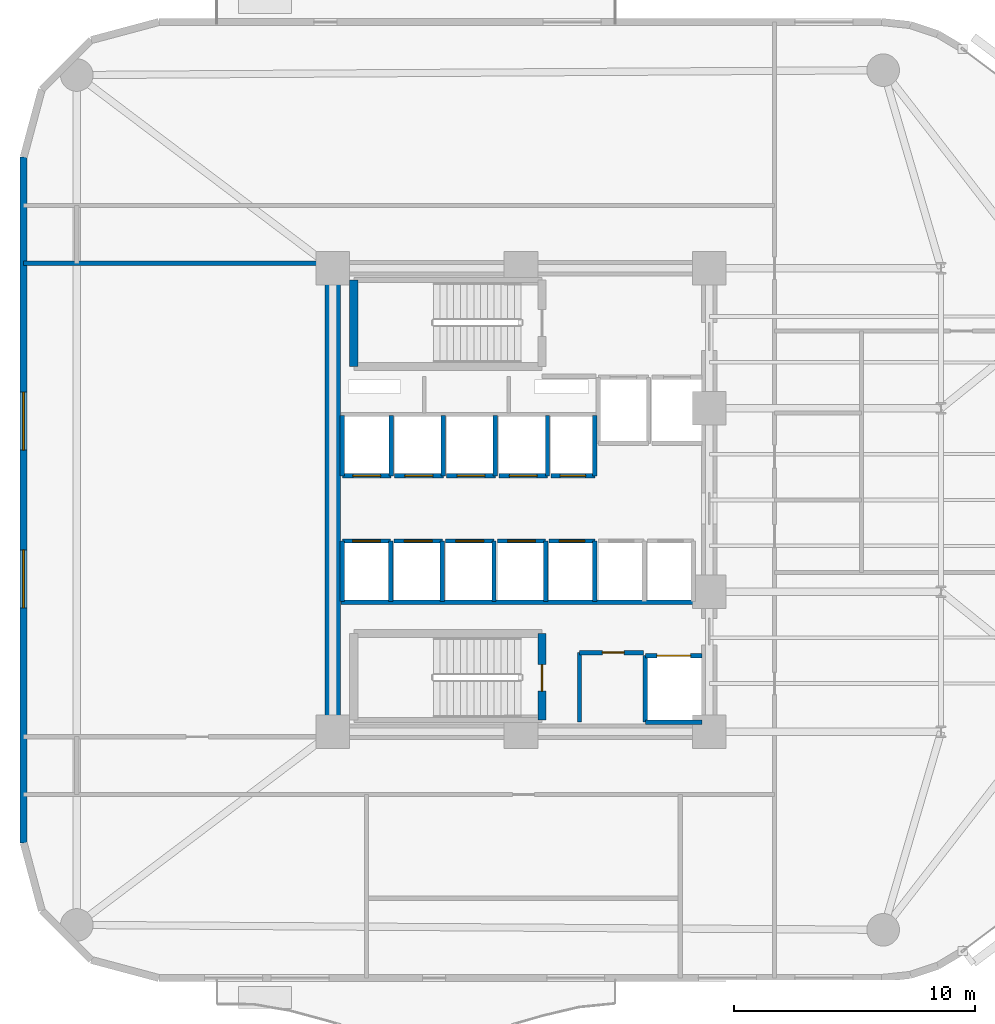
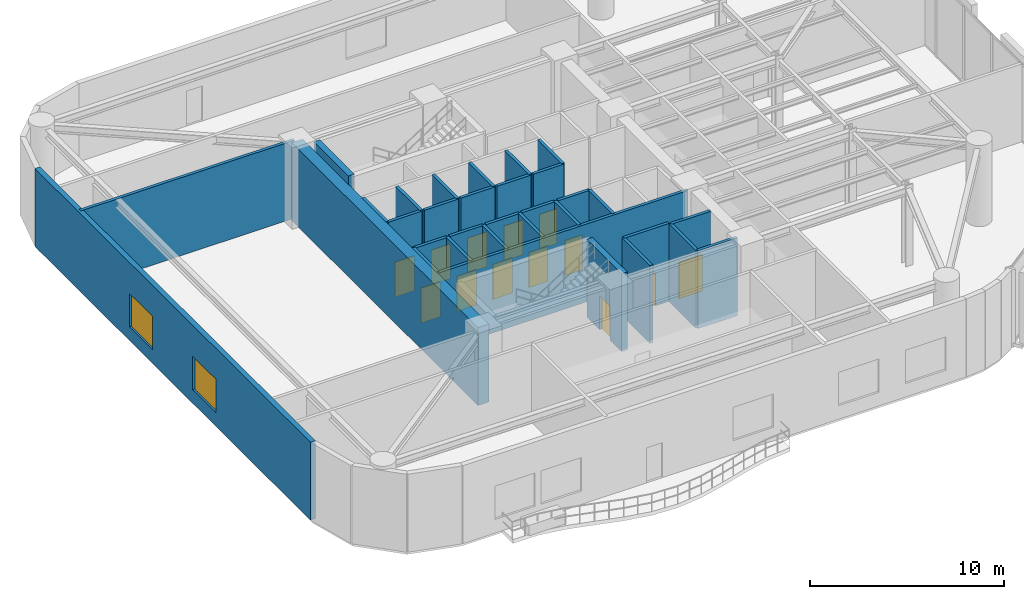
# One storey, part 10 of 14: 33 walls, 13 doors, 2 windows, 15 openings.
"""IFC4 building model written with IfcOpenShell, lengths in metres."""

from ifc_helpers import new_model, si_unit, direction, frame, frame_2d, origin, place, context, subcontext, project, spatial, rectangle, extrude, material, layer, layer_set, type_object, element, fill, save


model = new_model("IFC4")

# Units and contexts
model_context = context("Model", 3, precision=1e-05, world=origin(), true_north=direction((0.0, 1.0)))
body_context = subcontext(model_context, "Body", "Model", "MODEL_VIEW")
ifc_project = project(units=[si_unit("LENGTHUNIT", "METRE"), si_unit("AREAUNIT", "SQUARE_METRE"), si_unit("VOLUMEUNIT", "CUBIC_METRE"), si_unit("PLANEANGLEUNIT", "RADIAN"), si_unit("MASSUNIT", "GRAM", prefix="KILO")], contexts=[model_context])

# Site, building, storey
site_placement = place(None, origin())
site = spatial("IfcSite", under=ifc_project, at=site_placement, CompositionType="ELEMENT")
building_placement = place(site_placement, origin())
building = spatial("IfcBuilding", under=site, at=building_placement, Name="An Khanh Terracotta Commons", CompositionType="ELEMENT")
storey_placement = place(building_placement, frame((0.0, 0.0, 81.199951171875)))
storey = spatial("IfcBuildingStorey", under=building, at=storey_placement, Name="L21", CompositionType="ELEMENT", Elevation=81.199951171875)

# Walls
ifc_material_1 = material(Name="Concrete C60/75", Category="concrete")
ifc_layer_1 = layer(ifc_material_1, 0.64990234375, Name="Concrete C60/75")
ifc_layer_set_1 = layer_set([ifc_layer_1], Name="Concrete C60/75")
wall_type_1 = type_object("IfcWallType", Name="WALL-CORE-650", PredefinedType="SHEAR", material=ifc_layer_set_1)
wall_1_placement = place(storey_placement, frame((21.60009765625, 14.39990234375, 0.0), z_axis=(0.0, 0.0, 1.0), x_axis=(0.0, 1.0, 0.0)))
element("IfcWall", 1, at=wall_1_placement, inside=storey, type_object=wall_type_1, Name="L21 Core Wall CWALL-L21-W", PredefinedType="SHEAR", context=body_context, shape_type="SweptSolid", body=[
    extrude(rectangle(XDim=19.2001953125, YDim=0.64990234375, at=frame_2d((9.60009765625, 0.0))), origin(), (0.0, 0.0, 1.0), 4.900146484375),
])
ifc_material_2 = material(Name="Fire-Rated Gypsum Board on Steel Stud", Category="steel")
ifc_layer_2 = layer(ifc_material_2, 0.179931640625, Name="Fire-Rated Gypsum Board on Steel Stud")
ifc_layer_set_2 = layer_set([ifc_layer_2], Name="Fire-Rated Gypsum Board on Steel Stud")
wall_type_2 = type_object("IfcWallType", Name="WALL-CORR-180", PredefinedType="PARTITIONING", material=ifc_layer_set_2)
wall_2_placement = place(storey_placement, frame((21.949951171875, 19.760009765625, 0.0), z_axis=(0.0, 0.0, 1.0), x_axis=(1.0, 0.0, 0.0)))
element("IfcWall", 2, at=wall_2_placement, inside=storey, type_object=wall_type_2, Name="L21 Core Wall SVW-L21-N", PredefinedType="PARTITIONING", context=body_context, shape_type="SweptSolid", body=[
    extrude(rectangle(XDim=14.8701171875, YDim=0.179931640625, at=frame_2d((7.43505859375, 0.0))), origin(), (0.0, 0.0, 1.0), 4.900146484375),
])

# Wall, opening, door
wall_3_placement = place(storey_placement, frame((31.820068359375, 17.679931640625, 0.0), z_axis=(0.0, 0.0, 1.0), x_axis=(1.0, 0.0, 0.0)))
wall_3 = element("IfcWall", 3, at=wall_3_placement, inside=storey, type_object=wall_type_2, Name="L21 Core Wall SSVCW-L21-N", PredefinedType="PARTITIONING", context=body_context, shape_type="SweptSolid", body=[
    extrude(rectangle(XDim=2.659912109375, YDim=0.179931640625, at=frame_2d((1.330078125, 0.0))), origin(), (0.0, 0.0, 1.0), 4.900146484375),
])
opening_1_placement = place(wall_3_placement, frame((0.949951171875, 0.0, 0.0)))
opening_1 = element("IfcOpeningElement", 4, at=opening_1_placement, cuts=wall_3, Name="Opening D-SV", PredefinedType="OPENING", context=body_context, shape_type="SweptSolid", body=[
    extrude(rectangle(XDim=0.89990234375, YDim=2.050048828125, at=frame_2d((0.449951171875, 1.02490234375))), frame((0.0, 0.099853515625, 0.0), z_axis=(0.0, -1.0, 0.0), x_axis=(1.0, 0.0, 0.0)), (0.0, 0.0, 1.0), 0.199951171875),
])
ifc_material_3 = material(Name="Fire-Rated Powder-Coated Steel Door", Category="steel")
door_type_1 = type_object("IfcDoorType", Name="DOOR-SERV-900", OperationType="NOTDEFINED", PredefinedType="DOOR", material=ifc_material_3)
door_1_placement = place(opening_1_placement, origin())
door_1 = element("IfcDoor", 5, at=door_1_placement, inside=storey, type_object=door_type_1, Name="L21 Core Housekeeping Store Door", OperationType="SINGLE_SWING_LEFT", OverallHeight=2.050048828125, OverallWidth=0.89990234375, PredefinedType="DOOR", context=body_context, shape_type="SweptSolid", body=[
    extrude(rectangle(XDim=0.89990234375, YDim=2.050048828125, at=frame_2d((0.449951171875, 1.02490234375))), frame((0.0, 0.02490234375, 0.0), z_axis=(0.0, -1.0, 0.0), x_axis=(1.0, 0.0, 0.0)), (0.0, 0.0, 1.0), 0.050048828125),
])
fill(opening_1, door_1)

# Wall
wall_4_placement = place(storey_placement, frame((31.820068359375, 14.800048828125, 0.0), z_axis=(0.0, 0.0, 1.0), x_axis=(0.0, 1.0, 0.0)))
element("IfcWall", 6, at=wall_4_placement, inside=storey, type_object=wall_type_2, Name="L21 Core Wall SSVCW-L21-W", PredefinedType="PARTITIONING", context=body_context, shape_type="SweptSolid", body=[
    extrude(rectangle(XDim=2.8798828125, YDim=0.179931640625, at=frame_2d((1.43994140625, 0.0))), origin(), (0.0, 0.0, 1.0), 4.900146484375),
])

# Wall, opening, door
wall_5_placement = place(storey_placement, frame((34.550048828125, 17.550048828125, 0.0), z_axis=(0.0, 0.0, 1.0), x_axis=(1.0, 0.0, 0.0)))
wall_5 = element("IfcWall", 7, at=wall_5_placement, inside=storey, type_object=wall_type_2, Name="L21 Core Wall LSH-L21-SVL-01-N", PredefinedType="PARTITIONING", context=body_context, shape_type="SweptSolid", body=[
    extrude(rectangle(XDim=2.349853515625, YDim=0.179931640625, at=frame_2d((1.1748046875, 0.0))), origin(), (0.0, 0.0, 1.0), 4.900146484375),
])
opening_2_placement = place(wall_5_placement, frame((0.47509765625, 0.0, 0.0)))
opening_2 = element("IfcOpeningElement", 8, at=opening_2_placement, cuts=wall_5, Name="Opening LD-SVL-01-L21", PredefinedType="OPENING", context=body_context, shape_type="SweptSolid", body=[
    extrude(rectangle(XDim=1.39990234375, YDim=2.300048828125, at=frame_2d((0.699951171875, 1.14990234375))), frame((0.0, 0.099853515625, 0.0), z_axis=(0.0, -1.0, 0.0), x_axis=(1.0, 0.0, 0.0)), (0.0, 0.0, 1.0), 0.199951171875),
])
ifc_material_4 = material(Name="Heavy-Duty Stainless Steel Goods Landing Door", Category="steel")
door_type_2 = type_object("IfcDoorType", Name="DOOR-LD-SVL-1400", OperationType="NOTDEFINED", PredefinedType="DOOR", material=ifc_material_4)
door_2_placement = place(opening_2_placement, origin())
door_2 = element("IfcDoor", 9, at=door_2_placement, inside=storey, type_object=door_type_2, Name="L21 Lift SVL-01 Sliding Landing Door", OperationType="DOUBLE_DOOR_SLIDING", OverallHeight=2.300048828125, OverallWidth=1.39990234375, PredefinedType="DOOR", context=body_context, shape_type="SweptSolid", body=[
    extrude(rectangle(XDim=1.39990234375, YDim=2.300048828125, at=frame_2d((0.699951171875, 1.14990234375))), frame((0.0, 0.02490234375, 0.0), z_axis=(0.0, -1.0, 0.0), x_axis=(1.0, 0.0, 0.0)), (0.0, 0.0, 1.0), 0.050048828125),
])
fill(opening_2, door_2)

# Walls
wall_6_placement = place(storey_placement, frame((36.89990234375, 14.800048828125, 0.0), z_axis=(0.0, 0.0, 1.0), x_axis=(-1.0, 0.0, 0.0)))
element("IfcWall", 10, at=wall_6_placement, inside=storey, type_object=wall_type_2, Name="L21 Core Wall LSH-L21-SVL-01-S", PredefinedType="PARTITIONING", context=body_context, shape_type="SweptSolid", body=[
    extrude(rectangle(XDim=2.349853515625, YDim=0.179931640625, at=frame_2d((1.1748046875, 0.0))), origin(), (0.0, 0.0, 1.0), 4.900146484375),
])
wall_7_placement = place(storey_placement, frame((34.550048828125, 17.550048828125, 0.0), z_axis=(0.0, 0.0, 1.0), x_axis=(0.0, -1.0, 0.0)))
element("IfcWall", 11, at=wall_7_placement, inside=storey, type_object=wall_type_2, Name="L21 Core Wall LSH-L21-SVL-01-W", PredefinedType="PARTITIONING", context=body_context, shape_type="SweptSolid", body=[
    extrude(rectangle(XDim=2.75, YDim=0.179931640625, at=frame_2d((1.375, 0.0))), origin(), (0.0, 0.0, 1.0), 4.900146484375),
])

# Wall, opening, door
wall_8_placement = place(storey_placement, frame((24.02001953125, 25.0, 0.0), z_axis=(0.0, 0.0, 1.0), x_axis=(-1.0, 0.0, 0.0)))
wall_8 = element("IfcWall", 12, at=wall_8_placement, inside=storey, type_object=wall_type_2, Name="L21 Core Wall LSH-L21-PL-L1-S", PredefinedType="PARTITIONING", context=body_context, shape_type="SweptSolid", body=[
    extrude(rectangle(XDim=2.02001953125, YDim=0.179931640625, at=frame_2d((1.010009765625, 0.0))), origin(), (0.0, 0.0, 1.0), 4.900146484375),
])
opening_3_placement = place(wall_8_placement, frame((0.43505859375, 0.0, 0.0)))
opening_3 = element("IfcOpeningElement", 13, at=opening_3_placement, cuts=wall_8, Name="Opening LD-PL-L1-L21", PredefinedType="OPENING", context=body_context, shape_type="SweptSolid", body=[
    extrude(rectangle(XDim=1.14990234375, YDim=2.199951171875, at=frame_2d((0.574951171875, 1.10009765625))), frame((0.0, 0.099853515625, 0.0), z_axis=(0.0, -1.0, 0.0), x_axis=(1.0, 0.0, 0.0)), (0.0, 0.0, 1.0), 0.199951171875),
])
ifc_material_5 = material(Name="Brushed Stainless Steel Passenger Landing Door", Category="steel")
door_type_3 = type_object("IfcDoorType", Name="DOOR-LD-PAX-1150", OperationType="NOTDEFINED", PredefinedType="DOOR", material=ifc_material_5)
door_3_placement = place(opening_3_placement, origin())
door_3 = element("IfcDoor", 14, at=door_3_placement, inside=storey, type_object=door_type_3, Name="L21 Lift PL-L1 Sliding Landing Door", OperationType="DOUBLE_DOOR_SLIDING", OverallHeight=2.199951171875, OverallWidth=1.14990234375, PredefinedType="DOOR", context=body_context, shape_type="SweptSolid", body=[
    extrude(rectangle(XDim=1.14990234375, YDim=2.199951171875, at=frame_2d((0.574951171875, 1.10009765625))), frame((0.0, 0.02490234375, 0.0), z_axis=(0.0, -1.0, 0.0), x_axis=(1.0, 0.0, 0.0)), (0.0, 0.0, 1.0), 0.050048828125),
])
fill(opening_3, door_3)

# Walls
for number, where, z_axis, x_axis, name in (
    (15, (24.02001953125, 25.0, 0.0), (0.0, 0.0, 1.0), (0.0, 1.0, 0.0), "L21 Core Wall LSH-L21-PL-L1-E"),
    (16, (22.0, 27.5, 0.0), (0.0, 0.0, 1.0), (0.0, -1.0, 0.0), "L21 Core Wall LSH-L21-PL-L1-W"),
):
    element("IfcWall", number, at=place(storey_placement, frame(where, z_axis=z_axis, x_axis=x_axis)), inside=storey, type_object=wall_type_2, Name=name, PredefinedType="PARTITIONING", context=body_context, shape_type="SweptSolid", body=[
        extrude(rectangle(XDim=2.5, YDim=0.179931640625, at=frame_2d((1.25, 0.0))), origin(), (0.0, 0.0, 1.0), 4.900146484375),
    ])

# Wall, opening, door
wall_9_placement = place(storey_placement, frame((26.179931640625, 25.0, 0.0), z_axis=(0.0, 0.0, 1.0), x_axis=(-1.0, 0.0, 0.0)))
wall_9 = element("IfcWall", 17, at=wall_9_placement, inside=storey, type_object=wall_type_2, Name="L21 Core Wall LSH-L21-PL-L2-S", PredefinedType="PARTITIONING", context=body_context, shape_type="SweptSolid", body=[
    extrude(rectangle(XDim=2.02001953125, YDim=0.179931640625, at=frame_2d((1.010009765625, 0.0))), origin(), (0.0, 0.0, 1.0), 4.900146484375),
])
opening_4_placement = place(wall_9_placement, frame((0.43505859375, 0.0, 0.0)))
opening_4 = element("IfcOpeningElement", 18, at=opening_4_placement, cuts=wall_9, Name="Opening LD-PL-L2-L21", PredefinedType="OPENING", context=body_context, shape_type="SweptSolid", body=[
    extrude(rectangle(XDim=1.14990234375, YDim=2.199951171875, at=frame_2d((0.574951171875, 1.10009765625))), frame((0.0, 0.099853515625, 0.0), z_axis=(0.0, -1.0, 0.0), x_axis=(1.0, 0.0, 0.0)), (0.0, 0.0, 1.0), 0.199951171875),
])
door_4_placement = place(opening_4_placement, origin())
door_4 = element("IfcDoor", 19, at=door_4_placement, inside=storey, type_object=door_type_3, Name="L21 Lift PL-L2 Sliding Landing Door", OperationType="DOUBLE_DOOR_SLIDING", OverallHeight=2.199951171875, OverallWidth=1.14990234375, PredefinedType="DOOR", context=body_context, shape_type="SweptSolid", body=[
    extrude(rectangle(XDim=1.14990234375, YDim=2.199951171875, at=frame_2d((0.574951171875, 1.10009765625))), frame((0.0, 0.02490234375, 0.0), z_axis=(0.0, -1.0, 0.0), x_axis=(1.0, 0.0, 0.0)), (0.0, 0.0, 1.0), 0.050048828125),
])
fill(opening_4, door_4)

# Wall
wall_10_placement = place(storey_placement, frame((26.179931640625, 25.0, 0.0), z_axis=(0.0, 0.0, 1.0), x_axis=(0.0, 1.0, 0.0)))
element("IfcWall", 20, at=wall_10_placement, inside=storey, type_object=wall_type_2, Name="L21 Core Wall LSH-L21-PL-L2-E", PredefinedType="PARTITIONING", context=body_context, shape_type="SweptSolid", body=[
    extrude(rectangle(XDim=2.5, YDim=0.179931640625, at=frame_2d((1.25, 0.0))), origin(), (0.0, 0.0, 1.0), 4.900146484375),
])

# Wall, opening, door
wall_11_placement = place(storey_placement, frame((22.0, 22.300048828125, 0.0), z_axis=(0.0, 0.0, 1.0), x_axis=(1.0, 0.0, 0.0)))
wall_11 = element("IfcWall", 21, at=wall_11_placement, inside=storey, type_object=wall_type_2, Name="L21 Core Wall LSH-L21-PL-L3-N", PredefinedType="PARTITIONING", context=body_context, shape_type="SweptSolid", body=[
    extrude(rectangle(XDim=2.0, YDim=0.179931640625, at=frame_2d((1.0, 0.0))), origin(), (0.0, 0.0, 1.0), 4.900146484375),
])
opening_5_placement = place(wall_11_placement, frame((0.425048828125, 0.0, 0.0)))
opening_5 = element("IfcOpeningElement", 22, at=opening_5_placement, cuts=wall_11, Name="Opening LD-PL-L3-L21", PredefinedType="OPENING", context=body_context, shape_type="SweptSolid", body=[
    extrude(rectangle(XDim=1.14990234375, YDim=2.199951171875, at=frame_2d((0.574951171875, 1.10009765625))), frame((0.0, 0.099853515625, 0.0), z_axis=(0.0, -1.0, 0.0), x_axis=(1.0, 0.0, 0.0)), (0.0, 0.0, 1.0), 0.199951171875),
])
door_5_placement = place(opening_5_placement, origin())
door_5 = element("IfcDoor", 23, at=door_5_placement, inside=storey, type_object=door_type_3, Name="L21 Lift PL-L3 Sliding Landing Door", OperationType="DOUBLE_DOOR_SLIDING", OverallHeight=2.199951171875, OverallWidth=1.14990234375, PredefinedType="DOOR", context=body_context, shape_type="SweptSolid", body=[
    extrude(rectangle(XDim=1.14990234375, YDim=2.199951171875, at=frame_2d((0.574951171875, 1.10009765625))), frame((0.0, 0.02490234375, 0.0), z_axis=(0.0, -1.0, 0.0), x_axis=(1.0, 0.0, 0.0)), (0.0, 0.0, 1.0), 0.050048828125),
])
fill(opening_5, door_5)

# Walls
for number, where, z_axis, x_axis, name in (
    (24, (24.0, 19.800048828125, 0.0), (0.0, 0.0, 1.0), (0.0, 1.0, 0.0), "L21 Core Wall LSH-L21-PL-L3-E"),
    (25, (22.0, 22.300048828125, 0.0), (0.0, 0.0, 1.0), (0.0, -1.0, 0.0), "L21 Core Wall LSH-L21-PL-L3-W"),
):
    element("IfcWall", number, at=place(storey_placement, frame(where, z_axis=z_axis, x_axis=x_axis)), inside=storey, type_object=wall_type_2, Name=name, PredefinedType="PARTITIONING", context=body_context, shape_type="SweptSolid", body=[
        extrude(rectangle(XDim=2.5, YDim=0.179931640625, at=frame_2d((1.25, 0.0))), origin(), (0.0, 0.0, 1.0), 4.900146484375),
    ])

# Wall, opening, door
wall_12_placement = place(storey_placement, frame((24.139892578125, 22.300048828125, 0.0), z_axis=(0.0, 0.0, 1.0), x_axis=(1.0, 0.0, 0.0)))
wall_12 = element("IfcWall", 26, at=wall_12_placement, inside=storey, type_object=wall_type_2, Name="L21 Core Wall LSH-L21-PL-L4-N", PredefinedType="PARTITIONING", context=body_context, shape_type="SweptSolid", body=[
    extrude(rectangle(XDim=2.0, YDim=0.179931640625, at=frame_2d((1.0, 0.0))), origin(), (0.0, 0.0, 1.0), 4.900146484375),
])
opening_6_placement = place(wall_12_placement, frame((0.425048828125, 0.0, 0.0)))
opening_6 = element("IfcOpeningElement", 27, at=opening_6_placement, cuts=wall_12, Name="Opening LD-PL-L4-L21", PredefinedType="OPENING", context=body_context, shape_type="SweptSolid", body=[
    extrude(rectangle(XDim=1.14990234375, YDim=2.199951171875, at=frame_2d((0.574951171875, 1.10009765625))), frame((0.0, 0.099853515625, 0.0), z_axis=(0.0, -1.0, 0.0), x_axis=(1.0, 0.0, 0.0)), (0.0, 0.0, 1.0), 0.199951171875),
])
door_6_placement = place(opening_6_placement, origin())
door_6 = element("IfcDoor", 28, at=door_6_placement, inside=storey, type_object=door_type_3, Name="L21 Lift PL-L4 Sliding Landing Door", OperationType="DOUBLE_DOOR_SLIDING", OverallHeight=2.199951171875, OverallWidth=1.14990234375, PredefinedType="DOOR", context=body_context, shape_type="SweptSolid", body=[
    extrude(rectangle(XDim=1.14990234375, YDim=2.199951171875, at=frame_2d((0.574951171875, 1.10009765625))), frame((0.0, 0.02490234375, 0.0), z_axis=(0.0, -1.0, 0.0), x_axis=(1.0, 0.0, 0.0)), (0.0, 0.0, 1.0), 0.050048828125),
])
fill(opening_6, door_6)

# Wall
wall_13_placement = place(storey_placement, frame((26.139892578125, 19.800048828125, 0.0), z_axis=(0.0, 0.0, 1.0), x_axis=(0.0, 1.0, 0.0)))
element("IfcWall", 29, at=wall_13_placement, inside=storey, type_object=wall_type_2, Name="L21 Core Wall LSH-L21-PL-L4-E", PredefinedType="PARTITIONING", context=body_context, shape_type="SweptSolid", body=[
    extrude(rectangle(XDim=2.5, YDim=0.179931640625, at=frame_2d((1.25, 0.0))), origin(), (0.0, 0.0, 1.0), 4.900146484375),
])

# Wall, opening, door
wall_14_placement = place(storey_placement, frame((28.340087890625, 25.0, 0.0), z_axis=(0.0, 0.0, 1.0), x_axis=(-1.0, 0.0, 0.0)))
wall_14 = element("IfcWall", 30, at=wall_14_placement, inside=storey, type_object=wall_type_2, Name="L21 Core Wall LSH-L21-PL-M1-S", PredefinedType="PARTITIONING", context=body_context, shape_type="SweptSolid", body=[
    extrude(rectangle(XDim=2.02001953125, YDim=0.179931640625, at=frame_2d((1.010009765625, 0.0))), origin(), (0.0, 0.0, 1.0), 4.900146484375),
])
opening_7_placement = place(wall_14_placement, frame((0.43505859375, 0.0, 0.0)))
opening_7 = element("IfcOpeningElement", 31, at=opening_7_placement, cuts=wall_14, Name="Opening LD-PL-M1-L21", PredefinedType="OPENING", context=body_context, shape_type="SweptSolid", body=[
    extrude(rectangle(XDim=1.14990234375, YDim=2.199951171875, at=frame_2d((0.574951171875, 1.10009765625))), frame((0.0, 0.099853515625, 0.0), z_axis=(0.0, -1.0, 0.0), x_axis=(1.0, 0.0, 0.0)), (0.0, 0.0, 1.0), 0.199951171875),
])
door_7_placement = place(opening_7_placement, origin())
door_7 = element("IfcDoor", 32, at=door_7_placement, inside=storey, type_object=door_type_3, Name="L21 Lift PL-M1 Sliding Landing Door", OperationType="DOUBLE_DOOR_SLIDING", OverallHeight=2.199951171875, OverallWidth=1.14990234375, PredefinedType="DOOR", context=body_context, shape_type="SweptSolid", body=[
    extrude(rectangle(XDim=1.14990234375, YDim=2.199951171875, at=frame_2d((0.574951171875, 1.10009765625))), frame((0.0, 0.02490234375, 0.0), z_axis=(0.0, -1.0, 0.0), x_axis=(1.0, 0.0, 0.0)), (0.0, 0.0, 1.0), 0.050048828125),
])
fill(opening_7, door_7)

# Wall
wall_15_placement = place(storey_placement, frame((28.340087890625, 25.0, 0.0), z_axis=(0.0, 0.0, 1.0), x_axis=(0.0, 1.0, 0.0)))
element("IfcWall", 33, at=wall_15_placement, inside=storey, type_object=wall_type_2, Name="L21 Core Wall LSH-L21-PL-M1-E", PredefinedType="PARTITIONING", context=body_context, shape_type="SweptSolid", body=[
    extrude(rectangle(XDim=2.5, YDim=0.179931640625, at=frame_2d((1.25, 0.0))), origin(), (0.0, 0.0, 1.0), 4.900146484375),
])

# Wall, opening, door
wall_16_placement = place(storey_placement, frame((30.5, 25.0, 0.0), z_axis=(0.0, 0.0, 1.0), x_axis=(-1.0, 0.0, 0.0)))
wall_16 = element("IfcWall", 34, at=wall_16_placement, inside=storey, type_object=wall_type_2, Name="L21 Core Wall LSH-L21-PL-M2-S", PredefinedType="PARTITIONING", context=body_context, shape_type="SweptSolid", body=[
    extrude(rectangle(XDim=2.02001953125, YDim=0.179931640625, at=frame_2d((1.010009765625, 0.0))), origin(), (0.0, 0.0, 1.0), 4.900146484375),
])
opening_8_placement = place(wall_16_placement, frame((0.43505859375, 0.0, 0.0)))
opening_8 = element("IfcOpeningElement", 35, at=opening_8_placement, cuts=wall_16, Name="Opening LD-PL-M2-L21", PredefinedType="OPENING", context=body_context, shape_type="SweptSolid", body=[
    extrude(rectangle(XDim=1.14990234375, YDim=2.199951171875, at=frame_2d((0.574951171875, 1.10009765625))), frame((0.0, 0.099853515625, 0.0), z_axis=(0.0, -1.0, 0.0), x_axis=(1.0, 0.0, 0.0)), (0.0, 0.0, 1.0), 0.199951171875),
])
door_8_placement = place(opening_8_placement, origin())
door_8 = element("IfcDoor", 36, at=door_8_placement, inside=storey, type_object=door_type_3, Name="L21 Lift PL-M2 Sliding Landing Door", OperationType="DOUBLE_DOOR_SLIDING", OverallHeight=2.199951171875, OverallWidth=1.14990234375, PredefinedType="DOOR", context=body_context, shape_type="SweptSolid", body=[
    extrude(rectangle(XDim=1.14990234375, YDim=2.199951171875, at=frame_2d((0.574951171875, 1.10009765625))), frame((0.0, 0.02490234375, 0.0), z_axis=(0.0, -1.0, 0.0), x_axis=(1.0, 0.0, 0.0)), (0.0, 0.0, 1.0), 0.050048828125),
])
fill(opening_8, door_8)

# Wall
wall_17_placement = place(storey_placement, frame((30.5, 25.0, 0.0), z_axis=(0.0, 0.0, 1.0), x_axis=(0.0, 1.0, 0.0)))
element("IfcWall", 37, at=wall_17_placement, inside=storey, type_object=wall_type_2, Name="L21 Core Wall LSH-L21-PL-M2-E", PredefinedType="PARTITIONING", context=body_context, shape_type="SweptSolid", body=[
    extrude(rectangle(XDim=2.5, YDim=0.179931640625, at=frame_2d((1.25, 0.0))), origin(), (0.0, 0.0, 1.0), 4.900146484375),
])

# Wall, opening, door
wall_18_placement = place(storey_placement, frame((26.280029296875, 22.300048828125, 0.0), z_axis=(0.0, 0.0, 1.0), x_axis=(1.0, 0.0, 0.0)))
wall_18 = element("IfcWall", 38, at=wall_18_placement, inside=storey, type_object=wall_type_2, Name="L21 Core Wall LSH-L21-PL-M3-N", PredefinedType="PARTITIONING", context=body_context, shape_type="SweptSolid", body=[
    extrude(rectangle(XDim=2.0, YDim=0.179931640625, at=frame_2d((1.0, 0.0))), origin(), (0.0, 0.0, 1.0), 4.900146484375),
])
opening_9_placement = place(wall_18_placement, frame((0.425048828125, 0.0, 0.0)))
opening_9 = element("IfcOpeningElement", 39, at=opening_9_placement, cuts=wall_18, Name="Opening LD-PL-M3-L21", PredefinedType="OPENING", context=body_context, shape_type="SweptSolid", body=[
    extrude(rectangle(XDim=1.14990234375, YDim=2.199951171875, at=frame_2d((0.574951171875, 1.10009765625))), frame((0.0, 0.099853515625, 0.0), z_axis=(0.0, -1.0, 0.0), x_axis=(1.0, 0.0, 0.0)), (0.0, 0.0, 1.0), 0.199951171875),
])
door_9_placement = place(opening_9_placement, origin())
door_9 = element("IfcDoor", 40, at=door_9_placement, inside=storey, type_object=door_type_3, Name="L21 Lift PL-M3 Sliding Landing Door", OperationType="DOUBLE_DOOR_SLIDING", OverallHeight=2.199951171875, OverallWidth=1.14990234375, PredefinedType="DOOR", context=body_context, shape_type="SweptSolid", body=[
    extrude(rectangle(XDim=1.14990234375, YDim=2.199951171875, at=frame_2d((0.574951171875, 1.10009765625))), frame((0.0, 0.02490234375, 0.0), z_axis=(0.0, -1.0, 0.0), x_axis=(1.0, 0.0, 0.0)), (0.0, 0.0, 1.0), 0.050048828125),
])
fill(opening_9, door_9)

# Wall
wall_19_placement = place(storey_placement, frame((28.280029296875, 19.800048828125, 0.0), z_axis=(0.0, 0.0, 1.0), x_axis=(0.0, 1.0, 0.0)))
element("IfcWall", 41, at=wall_19_placement, inside=storey, type_object=wall_type_2, Name="L21 Core Wall LSH-L21-PL-M3-E", PredefinedType="PARTITIONING", context=body_context, shape_type="SweptSolid", body=[
    extrude(rectangle(XDim=2.5, YDim=0.179931640625, at=frame_2d((1.25, 0.0))), origin(), (0.0, 0.0, 1.0), 4.900146484375),
])

# Wall, opening, door
wall_20_placement = place(storey_placement, frame((28.419921875, 22.300048828125, 0.0), z_axis=(0.0, 0.0, 1.0), x_axis=(1.0, 0.0, 0.0)))
wall_20 = element("IfcWall", 42, at=wall_20_placement, inside=storey, type_object=wall_type_2, Name="L21 Core Wall LSH-L21-PL-M4-N", PredefinedType="PARTITIONING", context=body_context, shape_type="SweptSolid", body=[
    extrude(rectangle(XDim=2.0, YDim=0.179931640625, at=frame_2d((1.0, 0.0))), origin(), (0.0, 0.0, 1.0), 4.900146484375),
])
opening_10_placement = place(wall_20_placement, frame((0.425048828125, 0.0, 0.0)))
opening_10 = element("IfcOpeningElement", 43, at=opening_10_placement, cuts=wall_20, Name="Opening LD-PL-M4-L21", PredefinedType="OPENING", context=body_context, shape_type="SweptSolid", body=[
    extrude(rectangle(XDim=1.14990234375, YDim=2.199951171875, at=frame_2d((0.574951171875, 1.10009765625))), frame((0.0, 0.099853515625, 0.0), z_axis=(0.0, -1.0, 0.0), x_axis=(1.0, 0.0, 0.0)), (0.0, 0.0, 1.0), 0.199951171875),
])
door_10_placement = place(opening_10_placement, origin())
door_10 = element("IfcDoor", 44, at=door_10_placement, inside=storey, type_object=door_type_3, Name="L21 Lift PL-M4 Sliding Landing Door", OperationType="DOUBLE_DOOR_SLIDING", OverallHeight=2.199951171875, OverallWidth=1.14990234375, PredefinedType="DOOR", context=body_context, shape_type="SweptSolid", body=[
    extrude(rectangle(XDim=1.14990234375, YDim=2.199951171875, at=frame_2d((0.574951171875, 1.10009765625))), frame((0.0, 0.02490234375, 0.0), z_axis=(0.0, -1.0, 0.0), x_axis=(1.0, 0.0, 0.0)), (0.0, 0.0, 1.0), 0.050048828125),
])
fill(opening_10, door_10)

# Wall
wall_21_placement = place(storey_placement, frame((30.419921875, 19.800048828125, 0.0), z_axis=(0.0, 0.0, 1.0), x_axis=(0.0, 1.0, 0.0)))
element("IfcWall", 45, at=wall_21_placement, inside=storey, type_object=wall_type_2, Name="L21 Core Wall LSH-L21-PL-M4-E", PredefinedType="PARTITIONING", context=body_context, shape_type="SweptSolid", body=[
    extrude(rectangle(XDim=2.5, YDim=0.179931640625, at=frame_2d((1.25, 0.0))), origin(), (0.0, 0.0, 1.0), 4.900146484375),
])

# Wall, opening, door
wall_22_placement = place(storey_placement, frame((32.4599609375, 25.0, 0.0), z_axis=(0.0, 0.0, 1.0), x_axis=(-1.0, 0.0, 0.0)))
wall_22 = element("IfcWall", 46, at=wall_22_placement, inside=storey, type_object=wall_type_2, Name="L21 Core Wall LSH-L21-PL-H1-S", PredefinedType="PARTITIONING", context=body_context, shape_type="SweptSolid", body=[
    extrude(rectangle(XDim=1.820068359375, YDim=0.179931640625, at=frame_2d((0.91015625, 0.0))), origin(), (0.0, 0.0, 1.0), 4.900146484375),
])
opening_11_placement = place(wall_22_placement, frame((0.385009765625, 0.0, 0.0)))
opening_11 = element("IfcOpeningElement", 47, at=opening_11_placement, cuts=wall_22, Name="Opening LD-PL-H1-L21", PredefinedType="OPENING", context=body_context, shape_type="SweptSolid", body=[
    extrude(rectangle(XDim=1.050048828125, YDim=2.199951171875, at=frame_2d((0.52490234375, 1.10009765625))), frame((0.0, 0.099853515625, 0.0), z_axis=(0.0, -1.0, 0.0), x_axis=(1.0, 0.0, 0.0)), (0.0, 0.0, 1.0), 0.199951171875),
])
ifc_material_6 = material(Name="Brushed Stainless Steel High-Rise Landing Door", Category="steel")
door_type_4 = type_object("IfcDoorType", Name="DOOR-LD-PAXH-1050", OperationType="NOTDEFINED", PredefinedType="DOOR", material=ifc_material_6)
door_11_placement = place(opening_11_placement, origin())
door_11 = element("IfcDoor", 48, at=door_11_placement, inside=storey, type_object=door_type_4, Name="L21 Lift PL-H1 Sliding Landing Door", OperationType="DOUBLE_DOOR_SLIDING", OverallHeight=2.199951171875, OverallWidth=1.050048828125, PredefinedType="DOOR", context=body_context, shape_type="SweptSolid", body=[
    extrude(rectangle(XDim=1.050048828125, YDim=2.199951171875, at=frame_2d((0.52490234375, 1.10009765625))), frame((0.0, 0.02490234375, 0.0), z_axis=(0.0, -1.0, 0.0), x_axis=(1.0, 0.0, 0.0)), (0.0, 0.0, 1.0), 0.050048828125),
])
fill(opening_11, door_11)

# Wall
wall_23_placement = place(storey_placement, frame((32.4599609375, 25.0, 0.0), z_axis=(0.0, 0.0, 1.0), x_axis=(0.0, 1.0, 0.0)))
element("IfcWall", 49, at=wall_23_placement, inside=storey, type_object=wall_type_2, Name="L21 Core Wall LSH-L21-PL-H1-E", PredefinedType="PARTITIONING", context=body_context, shape_type="SweptSolid", body=[
    extrude(rectangle(XDim=2.5, YDim=0.179931640625, at=frame_2d((1.25, 0.0))), origin(), (0.0, 0.0, 1.0), 4.900146484375),
])

# Wall, opening, door
wall_24_placement = place(storey_placement, frame((30.56005859375, 22.300048828125, 0.0), z_axis=(0.0, 0.0, 1.0), x_axis=(1.0, 0.0, 0.0)))
wall_24 = element("IfcWall", 50, at=wall_24_placement, inside=storey, type_object=wall_type_2, Name="L21 Core Wall LSH-L21-PL-H2-N", PredefinedType="PARTITIONING", context=body_context, shape_type="SweptSolid", body=[
    extrude(rectangle(XDim=1.89990234375, YDim=0.179931640625, at=frame_2d((0.949951171875, 0.0))), origin(), (0.0, 0.0, 1.0), 4.900146484375),
])
opening_12_placement = place(wall_24_placement, frame((0.425048828125, 0.0, 0.0)))
opening_12 = element("IfcOpeningElement", 51, at=opening_12_placement, cuts=wall_24, Name="Opening LD-PL-H2-L21", PredefinedType="OPENING", context=body_context, shape_type="SweptSolid", body=[
    extrude(rectangle(XDim=1.050048828125, YDim=2.199951171875, at=frame_2d((0.52490234375, 1.10009765625))), frame((0.0, 0.099853515625, 0.0), z_axis=(0.0, -1.0, 0.0), x_axis=(1.0, 0.0, 0.0)), (0.0, 0.0, 1.0), 0.199951171875),
])
door_12_placement = place(opening_12_placement, origin())
door_12 = element("IfcDoor", 52, at=door_12_placement, inside=storey, type_object=door_type_4, Name="L21 Lift PL-H2 Sliding Landing Door", OperationType="DOUBLE_DOOR_SLIDING", OverallHeight=2.199951171875, OverallWidth=1.050048828125, PredefinedType="DOOR", context=body_context, shape_type="SweptSolid", body=[
    extrude(rectangle(XDim=1.050048828125, YDim=2.199951171875, at=frame_2d((0.52490234375, 1.10009765625))), frame((0.0, 0.02490234375, 0.0), z_axis=(0.0, -1.0, 0.0), x_axis=(1.0, 0.0, 0.0)), (0.0, 0.0, 1.0), 0.050048828125),
])
fill(opening_12, door_12)

# Walls
wall_25_placement = place(storey_placement, frame((32.4599609375, 19.800048828125, 0.0), z_axis=(0.0, 0.0, 1.0), x_axis=(0.0, 1.0, 0.0)))
element("IfcWall", 53, at=wall_25_placement, inside=storey, type_object=wall_type_2, Name="L21 Core Wall LSH-L21-PL-H2-E", PredefinedType="PARTITIONING", context=body_context, shape_type="SweptSolid", body=[
    extrude(rectangle(XDim=2.5, YDim=0.179931640625, at=frame_2d((1.25, 0.0))), origin(), (0.0, 0.0, 1.0), 4.900146484375),
])
wall_26_placement = place(storey_placement, frame((8.800048828125, 33.800048828125, 0.0), z_axis=(0.0, 0.0, 1.0), x_axis=(1.0, 0.0, 0.0)))
element("IfcWall", 54, at=wall_26_placement, inside=storey, type_object=wall_type_2, Name="L21 Interior Partition IW-L21-E008", PredefinedType="PARTITIONING", context=body_context, shape_type="SweptSolid", body=[
    extrude(rectangle(XDim=12.699951171875, YDim=0.179931640625, at=frame_2d((6.35009765625, 0.0))), origin(), (0.0, 0.0, 1.0), 4.900146484375),
])

# Wall, openings, windows
ifc_material_7 = material(Name="Precast concrete C40/50", Category="concrete")
ifc_layer_3 = layer(ifc_material_7, 0.300048828125, Name="Precast concrete C40/50")
ifc_layer_set_3 = layer_set([ifc_layer_3], Name="Precast concrete C40/50")
wall_type_3 = type_object("IfcWallType", Name="WALL-EXT-300", PredefinedType="SOLIDWALL", material=ifc_layer_set_3)
wall_27_placement = place(storey_placement, frame((8.800048828125, 38.199951171875, 0.0), z_axis=(0.0, 0.0, 1.0), x_axis=(0.0, -1.0, 0.0)))
wall_27 = element("IfcWall", 55, at=wall_27_placement, inside=storey, type_object=wall_type_3, Name="L21 Insulated Terracotta Exterior Wall 24", PredefinedType="SOLIDWALL", context=body_context, shape_type="SweptSolid", body=[
    extrude(rectangle(XDim=28.39990234375, YDim=0.300048828125, at=frame_2d((14.199951171875, 0.0))), origin(), (0.0, 0.0, 1.0), 4.900146484375),
])
opening_13_placement = place(wall_27_placement, frame((9.73291015625, 0.0, 0.85009765625)))
opening_13 = element("IfcOpeningElement", 56, at=opening_13_placement, cuts=wall_27, Name="Opening W-07", PredefinedType="OPENING", context=body_context, shape_type="SweptSolid", body=[
    extrude(rectangle(XDim=2.39990234375, YDim=2.10009765625, at=frame_2d((1.199951171875, 1.050048828125))), frame((0.0, 0.159912109375, 0.0), z_axis=(0.0, -1.0, 0.0), x_axis=(1.0, 0.0, 0.0)), (0.0, 0.0, 1.0), 0.320068359375),
])
opening_14_placement = place(wall_27_placement, frame((16.26708984375, 0.0, 0.85009765625)))
opening_14 = element("IfcOpeningElement", 57, at=opening_14_placement, cuts=wall_27, Name="Opening W-07", PredefinedType="OPENING", context=body_context, shape_type="SweptSolid", body=[
    extrude(rectangle(XDim=2.39990234375, YDim=2.10009765625, at=frame_2d((1.199951171875, 1.050048828125))), frame((0.0, 0.159912109375, 0.0), z_axis=(0.0, -1.0, 0.0), x_axis=(1.0, 0.0, 0.0)), (0.0, 0.0, 1.0), 0.320068359375),
])
ifc_material_8 = material(Name="Thermally Broken Aluminium and Low-E Glass", Category="aluminium")
window_type = type_object("IfcWindowType", Name="WIN-SKY-2400x2100", PartitioningType="TRIPLE_PANEL_VERTICAL", PredefinedType="WINDOW", material=ifc_material_8)
window_1_placement = place(opening_13_placement, origin())
window_1 = element("IfcWindow", 58, at=window_1_placement, inside=storey, type_object=window_type, Name="L21 Operable Casement Window 24.1", OverallHeight=2.10009765625, OverallWidth=2.39990234375, PartitioningType="TRIPLE_PANEL_VERTICAL", PredefinedType="WINDOW", context=body_context, shape_type="SweptSolid", body=[
    extrude(rectangle(XDim=2.39990234375, YDim=2.10009765625, at=frame_2d((1.199951171875, 1.050048828125))), frame((0.0, 0.030029296875, 0.0), z_axis=(0.0, -1.0, 0.0), x_axis=(1.0, 0.0, 0.0)), (0.0, 0.0, 1.0), 0.06005859375),
])
fill(opening_13, window_1)
window_2_placement = place(opening_14_placement, origin())
window_2 = element("IfcWindow", 59, at=window_2_placement, inside=storey, type_object=window_type, Name="L21 Operable Casement Window 24.2", OverallHeight=2.10009765625, OverallWidth=2.39990234375, PartitioningType="TRIPLE_PANEL_VERTICAL", PredefinedType="WINDOW", context=body_context, shape_type="SweptSolid", body=[
    extrude(rectangle(XDim=2.39990234375, YDim=2.10009765625, at=frame_2d((1.199951171875, 1.050048828125))), frame((0.0, 0.030029296875, 0.0), z_axis=(0.0, -1.0, 0.0), x_axis=(1.0, 0.0, 0.0)), (0.0, 0.0, 1.0), 0.06005859375),
])
fill(opening_14, window_2)

# Wall
ifc_material_9 = material(Name="Concrete C50/60", Category="concrete")
ifc_layer_4 = layer(ifc_material_9, 0.35009765625, Name="Concrete C50/60")
ifc_layer_set_4 = layer_set([ifc_layer_4], Name="Concrete C50/60")
wall_type_4 = type_object("IfcWallType", Name="WALL-SHAFT-350", PredefinedType="SOLIDWALL", material=ifc_layer_set_4)
wall_28_placement = place(storey_placement, frame((22.47998046875, 29.530029296875, 0.0), z_axis=(0.0, 0.0, 1.0), x_axis=(0.0, 1.0, 0.0)))
element("IfcWall", 60, at=wall_28_placement, inside=storey, type_object=wall_type_4, Name="L21 Core Wall STW-L21-N-W", PredefinedType="SOLIDWALL", context=body_context, shape_type="SweptSolid", body=[
    extrude(rectangle(XDim=3.580078125, YDim=0.35009765625, at=frame_2d((1.7900390625, 0.0))), origin(), (0.0, 0.0, 1.0), 4.900146484375),
])

# Wall, opening, door
wall_29_placement = place(storey_placement, frame((30.27001953125, 14.889892578125, 0.0), z_axis=(0.0, 0.0, 1.0), x_axis=(0.0, 1.0, 0.0)))
wall_29 = element("IfcWall", 61, at=wall_29_placement, inside=storey, type_object=wall_type_4, Name="L21 Core Wall STW-L21-S-E", PredefinedType="SOLIDWALL", context=body_context, shape_type="SweptSolid", body=[
    extrude(rectangle(XDim=3.580078125, YDim=0.35009765625, at=frame_2d((1.7900390625, 0.0))), origin(), (0.0, 0.0, 1.0), 4.900146484375),
])
opening_15_placement = place(wall_29_placement, frame((1.18994140625, 0.0, 0.0)))
opening_15 = element("IfcOpeningElement", 62, at=opening_15_placement, cuts=wall_29, Name="Opening D-ST", PredefinedType="OPENING", context=body_context, shape_type="SweptSolid", body=[
    extrude(rectangle(XDim=1.10009765625, YDim=2.14990234375, at=frame_2d((0.550048828125, 1.074951171875))), frame((0.0, 0.18505859375, 0.0), z_axis=(0.0, -1.0, 0.0), x_axis=(1.0, 0.0, 0.0)), (0.0, 0.0, 1.0), 0.3701171875),
])
ifc_material_10 = material(Name="Fire-Rated Steel Leaf and Frame", Category="steel")
door_type_5 = type_object("IfcDoorType", Name="DOOR-STAIR-1100", OperationType="NOTDEFINED", PredefinedType="DOOR", material=ifc_material_10)
door_13_placement = place(opening_15_placement, origin())
door_13 = element("IfcDoor", 63, at=door_13_placement, inside=storey, type_object=door_type_5, Name="L21 Stair ST-02 Fire Door", OperationType="SINGLE_SWING_RIGHT", OverallHeight=2.14990234375, OverallWidth=1.10009765625, PredefinedType="DOOR", context=body_context, shape_type="SweptSolid", body=[
    extrude(rectangle(XDim=1.10009765625, YDim=2.14990234375, at=frame_2d((0.550048828125, 1.074951171875))), frame((0.0, 0.02490234375, 0.0), z_axis=(0.0, -1.0, 0.0), x_axis=(1.0, 0.0, 0.0)), (0.0, 0.0, 1.0), 0.050048828125),
])
fill(opening_15, door_13)

save(model, "model.ifc")
